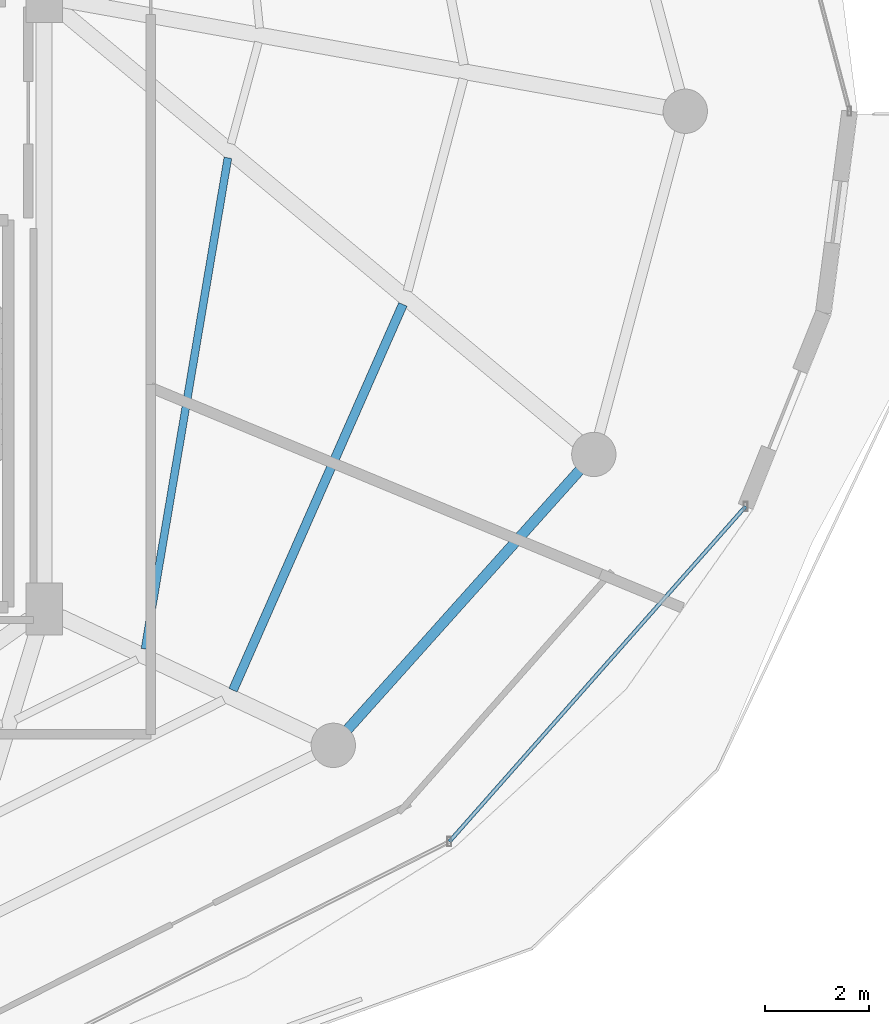
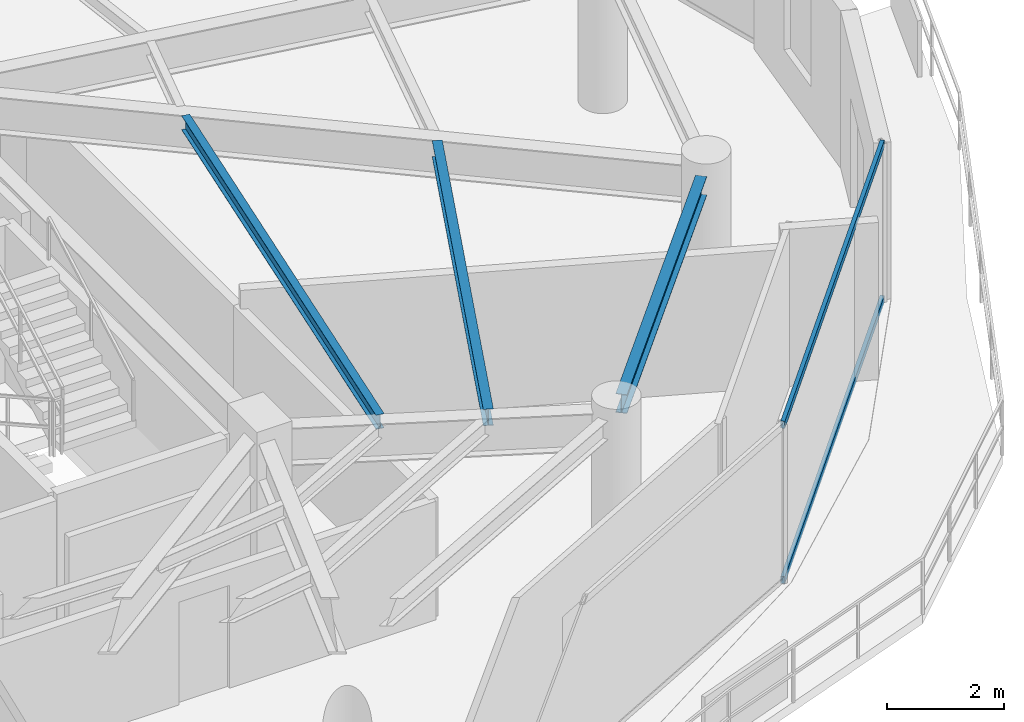
# One storey, part 12 of 30: 3 beams, 2 members, 1 element without a shape of its own.
"""IFC4 building model written with IfcOpenShell, lengths in metres."""

from ifc_helpers import new_model, si_unit, direction, frame, origin, origin_2d, place, context, subcontext, project, spatial, hollow_rectangle, i_section, extrude, material, material_profile, profile_set, type_object, element, aggregate, save


model = new_model("IFC4")

# Units and contexts
model_context = context("Model", 3, precision=1e-05, world=origin(), true_north=direction((0.0, 1.0)))
body_context = subcontext(model_context, "Body", "Model", "MODEL_VIEW")
ifc_project = project(units=[si_unit("LENGTHUNIT", "METRE"), si_unit("AREAUNIT", "SQUARE_METRE"), si_unit("VOLUMEUNIT", "CUBIC_METRE"), si_unit("PLANEANGLEUNIT", "RADIAN"), si_unit("MASSUNIT", "GRAM", prefix="KILO")], contexts=[model_context])

# Site, building, storey
site_placement = place(None, origin())
site = spatial("IfcSite", under=ifc_project, at=site_placement, CompositionType="ELEMENT")
building_placement = place(site_placement, origin())
building = spatial("IfcBuilding", under=site, at=building_placement, Name="Vorneva Point Tower", CompositionType="ELEMENT")
storey_placement = place(building_placement, frame((0.0, 0.0, 237.800048828125)))
storey = spatial("IfcBuildingStorey", under=building, at=storey_placement, Name="L64", CompositionType="ELEMENT", Elevation=237.800048828125)

# Beams
ifc_material_1 = material(Name="Steel S355", Category="steel")
ifc_material_profile_1 = material_profile(ifc_material_1, i_section(OverallWidth=0.14892578125, OverallDepth=0.298095703125, WebThickness=0.005615234375, FlangeThickness=0.008056640625, at=origin_2d()), Name="30B1")
ifc_profile_set_1 = profile_set([ifc_material_profile_1], Name="Steel S355")
beam_type_1 = type_object("IfcBeamType", Name="BM-JST-30B1", PredefinedType="JOIST", material=ifc_profile_set_1)
beam_1_placement = place(storey_placement, frame((50.686767578125, 15.68505859375, 3.140869140625), z_axis=(0.166457815595, 0.986048576708, 0.0), x_axis=(-0.986048576708, 0.166457815595, 0.0)))
element("IfcBeam", 1, at=beam_1_placement, inside=storey, type_object=beam_type_1, Name="L64 Secondary Floor Beam 2.15", PredefinedType="JOIST", context=body_context, shape_type="SweptSolid", body=[
    extrude(i_section(OverallWidth=0.14892578125, OverallDepth=0.298095703125, WebThickness=0.005615234375, FlangeThickness=0.008056640625, at=origin_2d()), origin(), (0.0, 0.0, 1.0), 9.555419921875),
])
ifc_material_profile_2 = material_profile(ifc_material_1, i_section(OverallWidth=0.174072265625, OverallDepth=0.345947265625, WebThickness=0.006103515625, FlangeThickness=0.009033203125, at=origin_2d()), Name="35B1")
ifc_profile_set_2 = profile_set([ifc_material_profile_2], Name="Steel S355")
beam_type_2 = type_object("IfcBeamType", Name="BM-SEC-35B1", PredefinedType="BEAM", material=ifc_profile_set_2)
beam_2_placement = place(storey_placement, frame((52.37451171875, 14.896240234375, 3.116943359375), z_axis=(0.40308772822, 0.915161342802, 0.0), x_axis=(-0.915161342802, 0.40308772822, 0.0)))
element("IfcBeam", 2, at=beam_2_placement, inside=storey, type_object=beam_type_2, Name="L64 Secondary Floor Beam 1.15", PredefinedType="BEAM", context=body_context, shape_type="SweptSolid", body=[
    extrude(i_section(OverallWidth=0.174072265625, OverallDepth=0.345947265625, WebThickness=0.006103515625, FlangeThickness=0.009033203125, at=origin_2d()), origin(), (0.0, 0.0, 1.0), 8.08447265625),
])
ifc_material_profile_3 = material_profile(ifc_material_1, i_section(OverallWidth=0.198974609375, OverallDepth=0.39599609375, WebThickness=0.007080078125, FlangeThickness=0.010986328125, at=origin_2d()), Name="40B1")
ifc_profile_set_3 = profile_set([ifc_material_profile_3], Name="Steel S355")
beam_type_3 = type_object("IfcBeamType", Name="BM-SPN-40B1", PredefinedType="SPANDREL", material=ifc_profile_set_3)
beam_3_placement = place(storey_placement, frame((54.572265625, 14.143310546875, 3.092041015625), z_axis=(0.667108282638, 0.744960763554, 0.0), x_axis=(-0.744960763554, 0.667108282638, 0.0)))
element("IfcBeam", 3, at=beam_3_placement, inside=storey, type_object=beam_type_3, Name="L64 Perimeter Spandrel Ring Beam 15", PredefinedType="SPANDREL", context=body_context, shape_type="SweptSolid", body=[
    extrude(i_section(OverallWidth=0.198974609375, OverallDepth=0.39599609375, WebThickness=0.007080078125, FlangeThickness=0.010986328125, at=origin_2d()), origin(), (0.0, 0.0, 1.0), 6.670166015625),
])

# Curtain wall, members
ifc_material_2 = material(Name="Pale anodised aluminium", Category="aluminium")
curtain_wall_type = type_object("IfcCurtainWallType", Name="CW-RES-SYS", PredefinedType="NOTDEFINED", material=ifc_material_2)
curtain_wall_placement = place(storey_placement, origin())
curtain_wall = element("IfcCurtainWall", 4, at=curtain_wall_placement, inside=storey, type_object=curtain_wall_type, Name="L64 Unitised Curtain Wall CW-L64-R04", PredefinedType="NOTDEFINED")
ifc_material_profile_4 = material_profile(ifc_material_2, hollow_rectangle(XDim=0.074951171875, YDim=0.14990234375, WallThickness=0.00390625, at=origin_2d()), Name="AL-TRN 150x75x4")
ifc_profile_set_4 = profile_set([ifc_material_profile_4], Name="Pale anodised aluminium")
member_type = type_object("IfcMemberType", Name="CW-TRN-150", PredefinedType="USERDEFINED", material=ifc_profile_set_4)
member_1_placement = place(storey_placement, frame((56.526123046875, 11.9921875, 0.02001953125), z_axis=(0.662196681357, 0.74933007093, 0.0), x_axis=(-0.74933007093, 0.662196681357, 0.0)))
member_1 = element("IfcMember", 5, at=member_1_placement, type_object=member_type, Name="CW-L64-R04 Transom 05.1", ObjectType="TRANSOM", PredefinedType="USERDEFINED", context=body_context, shape_type="SweptSolid", body=[
    extrude(hollow_rectangle(XDim=0.074951171875, YDim=0.14990234375, WallThickness=0.00390625, at=origin_2d()), origin(), (0.0, 0.0, 1.0), 8.57666015625),
])
member_2_placement = place(storey_placement, frame((56.526123046875, 11.9921875, 3.27001953125), z_axis=(0.662196681357, 0.74933007093, 0.0), x_axis=(-0.74933007093, 0.662196681357, 0.0)))
member_2 = element("IfcMember", 6, at=member_2_placement, type_object=member_type, Name="CW-L64-R04 Transom 05.2", ObjectType="TRANSOM", PredefinedType="USERDEFINED", context=body_context, shape_type="SweptSolid", body=[
    extrude(hollow_rectangle(XDim=0.074951171875, YDim=0.14990234375, WallThickness=0.00390625, at=origin_2d()), origin(), (0.0, 0.0, 1.0), 8.57666015625),
])
aggregate(curtain_wall, [member_1, member_2])

save(model, "model.ifc")
